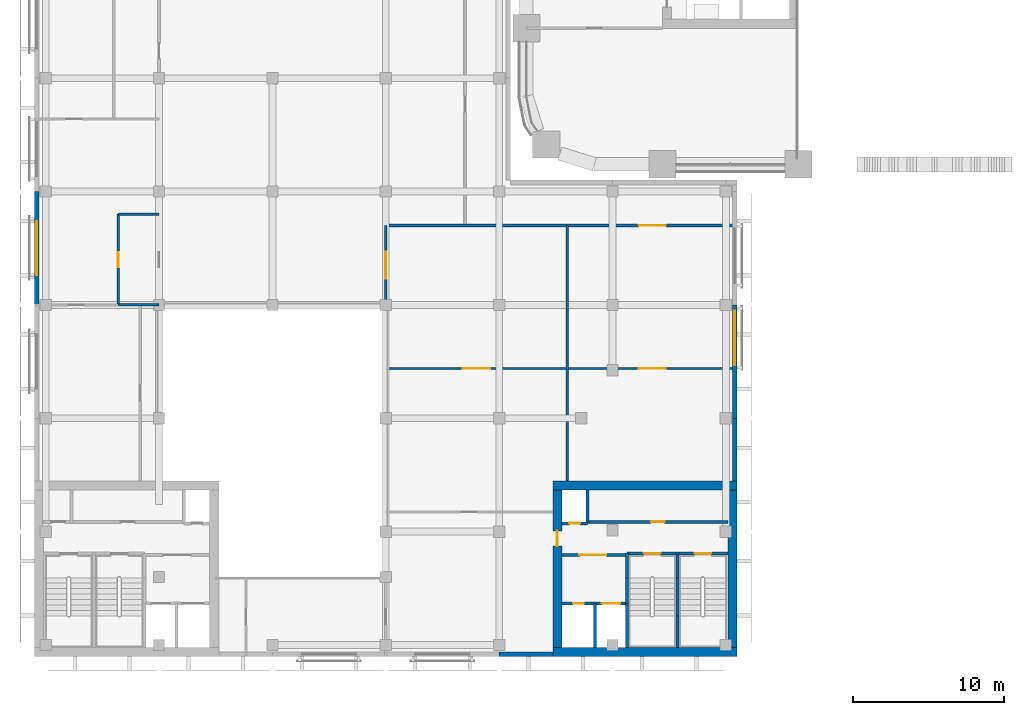
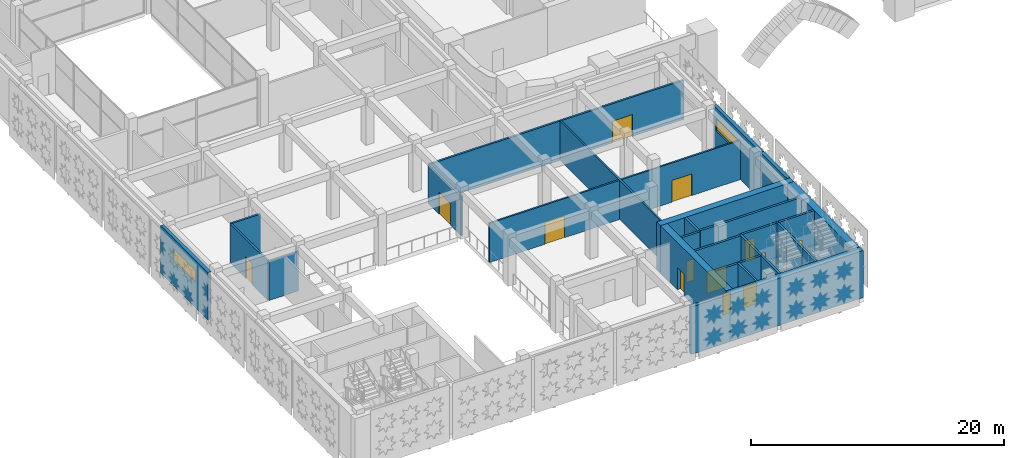
# One storey, part 15 of 40: 30 walls, 13 doors, 2 windows, 15 openings.
"""IFC4 building model written with IfcOpenShell, lengths in metres."""

from ifc_helpers import new_model, si_unit, direction, frame, frame_2d, origin, place, context, subcontext, project, spatial, rectangle, extrude, material, layer, layer_set, type_object, element, fill, save


model = new_model("IFC4")

# Units and contexts
model_context = context("Model", 3, precision=1e-05, world=origin(), true_north=direction((0.0, 1.0)))
body_context = subcontext(model_context, "Body", "Model", "MODEL_VIEW")
ifc_project = project(units=[si_unit("LENGTHUNIT", "METRE"), si_unit("AREAUNIT", "SQUARE_METRE"), si_unit("VOLUMEUNIT", "CUBIC_METRE"), si_unit("PLANEANGLEUNIT", "RADIAN"), si_unit("MASSUNIT", "GRAM", prefix="KILO")], contexts=[model_context])

# Site, building, storey
site_placement = place(None, origin())
site = spatial("IfcSite", under=ifc_project, at=site_placement, CompositionType="ELEMENT")
building_placement = place(site_placement, origin())
building = spatial("IfcBuilding", under=site, at=building_placement, Name="Tessera Arch", CompositionType="ELEMENT")
storey_placement = place(building_placement, frame((0.0, 0.0, 21.0)))
storey = spatial("IfcBuildingStorey", under=building, at=storey_placement, Name="L03", CompositionType="ELEMENT", Elevation=21.0)

# Wall, opening, door
ifc_material_1 = material(Name="Gypsum board on steel stud", Category="steel")
ifc_layer_1 = layer(ifc_material_1, 0.125)
ifc_layer_set_1 = layer_set([ifc_layer_1], Name="Core partition 125 EI 60")
wall_type_1 = type_object("IfcWallType", Name="Core partition 125 EI 60", PredefinedType="PARTITIONING", material=ifc_layer_set_1)
wall_1_placement = place(storey_placement, frame((2.35009765625, -25.85009765625, 0.0), z_axis=(0.0, 0.0, 1.0), x_axis=(1.0, 0.0, 0.0)))
wall_1 = element("IfcWall", 1, at=wall_1_placement, inside=storey, type_object=wall_type_1, Name="L03 M3 partition wall 10", PredefinedType="PARTITIONING", context=body_context, shape_type="SweptSolid", body=[
    extrude(rectangle(XDim=4.2998046875, YDim=0.199951171875, at=frame_2d((2.14990234375, 0.0))), origin(), (0.0, 0.0, 1.0), 4.550048828125),
])
opening_1_placement = place(wall_1_placement, frame((1.14990234375, 0.0, 0.0)))
opening_1 = element("IfcOpeningElement", 2, at=opening_1_placement, cuts=wall_1, Name="Opening L03-C64", PredefinedType="OPENING", context=body_context, shape_type="SweptSolid", body=[
    extrude(rectangle(XDim=1.800048828125, YDim=2.10009765625, at=frame_2d((0.89990234375, 1.050048828125))), frame((0.0, 0.10986328125, 0.0), z_axis=(0.0, -1.0, 0.0), x_axis=(1.0, 0.0, 0.0)), (0.0, 0.0, 1.0), 0.219970703125),
])
ifc_material_2 = material(Name="Glazed steel door leaf", Category="steel")
door_type_1 = type_object("IfcDoorType", Name="Lobby double door FD30S 1800 x 2100", OperationType="DOUBLE_DOOR_SINGLE_SWING", PredefinedType="DOOR", material=ifc_material_2)
door_1_placement = place(opening_1_placement, origin())
door_1 = element("IfcDoor", 3, at=door_1_placement, inside=storey, type_object=door_type_1, Name="L03 M3 door 4 C64 type D06", OperationType="DOUBLE_DOOR_SINGLE_SWING", OverallHeight=2.10009765625, OverallWidth=1.800048828125, PredefinedType="DOOR", context=body_context, shape_type="SweptSolid", body=[
    extrude(rectangle(XDim=1.800048828125, YDim=2.10009765625, at=frame_2d((0.89990234375, 1.050048828125))), frame((0.0, 0.02490234375, 0.0), z_axis=(0.0, -1.0, 0.0), x_axis=(1.0, 0.0, 0.0)), (0.0, 0.0, 1.0), 0.050048828125),
])
fill(opening_1, door_1)

wall_2_placement = place(storey_placement, frame((4.050048828125, -23.64990234375, 0.0), z_axis=(0.0, 0.0, 1.0), x_axis=(1.0, 0.0, 0.0)))
wall_2 = element("IfcWall", 4, at=wall_2_placement, inside=storey, type_object=wall_type_1, Name="L03 M3 partition wall 14", PredefinedType="PARTITIONING", context=body_context, shape_type="SweptSolid", body=[
    extrude(rectangle(XDim=9.300048828125, YDim=0.199951171875, at=frame_2d((4.64990234375, 0.0))), origin(), (0.0, 0.0, 1.0), 4.550048828125),
])
opening_2_placement = place(wall_2_placement, frame((4.199951171875, 0.0, 0.0)))
opening_2 = element("IfcOpeningElement", 5, at=opening_2_placement, cuts=wall_2, Name="Opening L03-C68", PredefinedType="OPENING", context=body_context, shape_type="SweptSolid", body=[
    extrude(rectangle(XDim=0.89990234375, YDim=2.10009765625, at=frame_2d((0.449951171875, 1.050048828125))), frame((0.0, 0.10986328125, 0.0), z_axis=(0.0, -1.0, 0.0), x_axis=(1.0, 0.0, 0.0)), (0.0, 0.0, 1.0), 0.219970703125),
])
ifc_material_3 = material(Name="Steel door leaf", Category="steel")
door_type_2 = type_object("IfcDoorType", Name="Store door FD30S 900 x 2100", OperationType="SINGLE_SWING_LEFT", PredefinedType="DOOR", material=ifc_material_3)
door_2_placement = place(opening_2_placement, origin())
door_2 = element("IfcDoor", 6, at=door_2_placement, inside=storey, type_object=door_type_2, Name="L03 M3 door 8 C68 type D09", OperationType="SINGLE_SWING_LEFT", OverallHeight=2.10009765625, OverallWidth=0.89990234375, PredefinedType="DOOR", context=body_context, shape_type="SweptSolid", body=[
    extrude(rectangle(XDim=0.89990234375, YDim=2.10009765625, at=frame_2d((0.449951171875, 1.050048828125))), frame((0.0, 0.02490234375, 0.0), z_axis=(0.0, -1.0, 0.0), x_axis=(1.0, 0.0, 0.0)), (0.0, 0.0, 1.0), 0.050048828125),
])
fill(opening_2, door_2)

# Walls
ifc_material_4 = material(Name="Concrete C70/85", Category="concrete")
ifc_layer_2 = layer(ifc_material_4, 0.60009765625)
ifc_layer_set_2 = layer_set([ifc_layer_2], Name="Core shell wall 600 C70-85")
wall_type_2 = type_object("IfcWallType", Name="Core shell wall 600 C70-85", PredefinedType="SHEAR", material=ifc_layer_set_2)
for number, where, z_axis, x_axis, name in (
    (7, (1.75, -32.25, 0.0), (0.0, 0.0, 1.0), (1.0, 0.0, 0.0), "L03 M3 core wall S"),
    (8, (1.75, -21.25, 0.0), (0.0, 0.0, 1.0), (1.0, 0.0, 0.0), "L03 M3 core wall N"),
):
    element("IfcWall", number, at=place(storey_placement, frame(where, z_axis=z_axis, x_axis=x_axis)), inside=storey, type_object=wall_type_2, Name=name, PredefinedType="SHEAR", context=body_context, shape_type="SweptSolid", body=[
        extrude(rectangle(XDim=12.199951171875, YDim=0.60009765625, at=frame_2d((6.10009765625, 0.0))), origin(), (0.0, 0.0, 1.0), 4.550048828125),
    ])

# Wall, opening, door
wall_3_placement = place(storey_placement, frame((2.050048828125, -31.949951171875, 0.0), z_axis=(0.0, 0.0, 1.0), x_axis=(0.0, 1.0, 0.0)))
wall_3 = element("IfcWall", 9, at=wall_3_placement, inside=storey, type_object=wall_type_2, Name="L03 M3 core wall W", PredefinedType="SHEAR", context=body_context, shape_type="SweptSolid", body=[
    extrude(rectangle(XDim=10.39990234375, YDim=0.60009765625, at=frame_2d((5.199951171875, 0.0))), origin(), (0.0, 0.0, 1.0), 4.550048828125),
])
opening_3_placement = place(wall_3_placement, frame((6.699951171875, 0.0, 0.0)))
opening_3 = element("IfcOpeningElement", 10, at=opening_3_placement, cuts=wall_3, Name="Opening L03-C67", PredefinedType="OPENING", context=body_context, shape_type="SweptSolid", body=[
    extrude(rectangle(XDim=1.0, YDim=2.10009765625, at=frame_2d((0.5, 1.050048828125))), frame((0.0, 0.31005859375, 0.0), z_axis=(0.0, -1.0, 0.0), x_axis=(1.0, 0.0, 0.0)), (0.0, 0.0, 1.0), 0.6201171875),
])
ifc_material_5 = material(Name="Steel door leaf", Category="steel")
door_type_3 = type_object("IfcDoorType", Name="Corridor door FD60 1000 x 2100", OperationType="SINGLE_SWING_LEFT", PredefinedType="DOOR", material=ifc_material_5)
door_3_placement = place(opening_3_placement, origin())
door_3 = element("IfcDoor", 11, at=door_3_placement, inside=storey, type_object=door_type_3, Name="L03 M3 door 7 C67 type D12", OperationType="SINGLE_SWING_RIGHT", OverallHeight=2.10009765625, OverallWidth=1.0, PredefinedType="DOOR", context=body_context, shape_type="SweptSolid", body=[
    extrude(rectangle(XDim=1.0, YDim=2.10009765625, at=frame_2d((0.5, 1.050048828125))), frame((0.0, 0.02490234375, 0.0), z_axis=(0.0, -1.0, 0.0), x_axis=(1.0, 0.0, 0.0)), (0.0, 0.0, 1.0), 0.050048828125),
])
fill(opening_3, door_3)

# Walls
wall_4_placement = place(storey_placement, frame((13.64990234375, -31.949951171875, 0.0), z_axis=(0.0, 0.0, 1.0), x_axis=(0.0, 1.0, 0.0)))
element("IfcWall", 12, at=wall_4_placement, inside=storey, type_object=wall_type_2, Name="L03 M3 core wall E", PredefinedType="SHEAR", context=body_context, shape_type="SweptSolid", body=[
    extrude(rectangle(XDim=10.39990234375, YDim=0.60009765625, at=frame_2d((5.199951171875, 0.0))), origin(), (0.0, 0.0, 1.0), 4.550048828125),
])
ifc_material_6 = material(Name="Gypsum board on deep steel stud with mineral wool", Category="steel")
ifc_layer_3 = layer(ifc_material_6, 0.175048828125)
ifc_layer_set_3 = layer_set([ifc_layer_3], Name="Corridor wall 175 EI 60")
wall_type_3 = type_object("IfcWallType", Name="Corridor wall 175 EI 60", PredefinedType="PARTITIONING", material=ifc_layer_set_3)
wall_5_placement = place(storey_placement, frame((-27.0, -9.300048828125, 0.0), z_axis=(0.0, 0.0, 1.0), x_axis=(1.0, 0.0, 0.0)))
element("IfcWall", 13, at=wall_5_placement, inside=storey, type_object=wall_type_3, Name="L03 partition 1", PredefinedType="PARTITIONING", context=body_context, shape_type="SweptSolid", body=[
    extrude(rectangle(XDim=2.699951171875, YDim=0.175048828125, at=frame_2d((1.35009765625, 0.0))), origin(), (0.0, 0.0, 1.0), 3.7900390625),
])

# Wall, opening, door
wall_6_placement = place(storey_placement, frame((-9.300048828125, -4.050048828125, 0.0), z_axis=(0.0, 0.0, 1.0), x_axis=(1.0, 0.0, 0.0)))
wall_6 = element("IfcWall", 14, at=wall_6_placement, inside=storey, type_object=wall_type_3, Name="L03 partition 2", PredefinedType="PARTITIONING", context=body_context, shape_type="SweptSolid", body=[
    extrude(rectangle(XDim=23.25, YDim=0.175048828125, at=frame_2d((11.625, 0.0))), origin(), (0.0, 0.0, 1.0), 3.7900390625),
])
opening_4_placement = place(wall_6_placement, frame((16.72509765625, 0.0, 0.0)))
opening_4 = element("IfcOpeningElement", 15, at=opening_4_placement, cuts=wall_6, Name="Opening L03-D012", PredefinedType="OPENING", context=body_context, shape_type="SweptSolid", body=[
    extrude(rectangle(XDim=1.800048828125, YDim=2.10009765625, at=frame_2d((0.89990234375, 1.050048828125))), frame((0.0, 0.097412109375, 0.0), z_axis=(0.0, -1.0, 0.0), x_axis=(1.0, 0.0, 0.0)), (0.0, 0.0, 1.0), 0.195068359375),
])
ifc_material_7 = material(Name="Timber door leaf", Category="wood")
door_type_4 = type_object("IfcDoorType", Name="Double door 1800 x 2100", OperationType="DOUBLE_DOOR_SINGLE_SWING", PredefinedType="DOOR", material=ifc_material_7)
door_4_placement = place(opening_4_placement, origin())
door_4 = element("IfcDoor", 16, at=door_4_placement, inside=storey, type_object=door_type_4, Name="L03 door D012 type D13", OperationType="DOUBLE_DOOR_SINGLE_SWING", OverallHeight=2.10009765625, OverallWidth=1.800048828125, PredefinedType="DOOR", context=body_context, shape_type="SweptSolid", body=[
    extrude(rectangle(XDim=1.800048828125, YDim=2.10009765625, at=frame_2d((0.89990234375, 1.050048828125))), frame((0.0, 0.02490234375, 0.0), z_axis=(0.0, -1.0, 0.0), x_axis=(1.0, 0.0, 0.0)), (0.0, 0.0, 1.0), 0.050048828125),
])
fill(opening_4, door_4)

# Wall
wall_7_placement = place(storey_placement, frame((-27.0, -3.300048828125, 0.0), z_axis=(0.0, 0.0, 1.0), x_axis=(1.0, 0.0, 0.0)))
element("IfcWall", 17, at=wall_7_placement, inside=storey, type_object=wall_type_3, Name="L03 partition 3", PredefinedType="PARTITIONING", context=body_context, shape_type="SweptSolid", body=[
    extrude(rectangle(XDim=2.699951171875, YDim=0.175048828125, at=frame_2d((1.35009765625, 0.0))), origin(), (0.0, 0.0, 1.0), 3.7900390625),
])

# Wall, opening, door
wall_8_placement = place(storey_placement, frame((-27.0, -9.300048828125, 0.0), z_axis=(0.0, 0.0, 1.0), x_axis=(0.0, 1.0, 0.0)))
wall_8 = element("IfcWall", 18, at=wall_8_placement, inside=storey, type_object=wall_type_3, Name="L03 partition 15", PredefinedType="PARTITIONING", context=body_context, shape_type="SweptSolid", body=[
    extrude(rectangle(XDim=6.0, YDim=0.175048828125, at=frame_2d((3.0, 0.0))), origin(), (0.0, 0.0, 1.0), 3.7900390625),
])
opening_5_placement = place(wall_8_placement, frame((2.5, 0.0, 0.0)))
opening_5 = element("IfcOpeningElement", 19, at=opening_5_placement, cuts=wall_8, Name="Opening L03-D023", PredefinedType="OPENING", context=body_context, shape_type="SweptSolid", body=[
    extrude(rectangle(XDim=1.0, YDim=2.10009765625, at=frame_2d((0.5, 1.050048828125))), frame((0.0, 0.097412109375, 0.0), z_axis=(0.0, -1.0, 0.0), x_axis=(1.0, 0.0, 0.0)), (0.0, 0.0, 1.0), 0.195068359375),
])
ifc_material_8 = material(Name="Fire-rated door leaf")
door_type_5 = type_object("IfcDoorType", Name="Entrance door FD30S 1000 x 2100", OperationType="SINGLE_SWING_LEFT", PredefinedType="DOOR", material=ifc_material_8)
door_5_placement = place(opening_5_placement, origin())
door_5 = element("IfcDoor", 20, at=door_5_placement, inside=storey, type_object=door_type_5, Name="L03 door D023 type D03", OperationType="SINGLE_SWING_RIGHT", OverallHeight=2.10009765625, OverallWidth=1.0, PredefinedType="DOOR", context=body_context, shape_type="SweptSolid", body=[
    extrude(rectangle(XDim=1.0, YDim=2.10009765625, at=frame_2d((0.5, 1.050048828125))), frame((0.0, 0.02490234375, 0.0), z_axis=(0.0, -1.0, 0.0), x_axis=(1.0, 0.0, 0.0)), (0.0, 0.0, 1.0), 0.050048828125),
])
fill(opening_5, door_5)

wall_9_placement = place(storey_placement, frame((-9.300048828125, -9.300048828125, 0.0), z_axis=(0.0, 0.0, 1.0), x_axis=(0.0, 1.0, 0.0)))
wall_9 = element("IfcWall", 21, at=wall_9_placement, inside=storey, type_object=wall_type_3, Name="L03 partition 18", PredefinedType="PARTITIONING", context=body_context, shape_type="SweptSolid", body=[
    extrude(rectangle(XDim=5.25, YDim=0.175048828125, at=frame_2d((2.625, 0.0))), origin(), (0.0, 0.0, 1.0), 3.7900390625),
])
opening_6_placement = place(wall_9_placement, frame((1.72509765625, 0.0, 0.0)))
opening_6 = element("IfcOpeningElement", 22, at=opening_6_placement, cuts=wall_9, Name="Opening L03-D014", PredefinedType="OPENING", context=body_context, shape_type="SweptSolid", body=[
    extrude(rectangle(XDim=1.800048828125, YDim=2.10009765625, at=frame_2d((0.89990234375, 1.050048828125))), frame((0.0, 0.097412109375, 0.0), z_axis=(0.0, -1.0, 0.0), x_axis=(1.0, 0.0, 0.0)), (0.0, 0.0, 1.0), 0.195068359375),
])
door_6_placement = place(opening_6_placement, origin())
door_6 = element("IfcDoor", 23, at=door_6_placement, inside=storey, type_object=door_type_4, Name="L03 door D014 type D13", OperationType="DOUBLE_DOOR_SINGLE_SWING", OverallHeight=2.10009765625, OverallWidth=1.800048828125, PredefinedType="DOOR", context=body_context, shape_type="SweptSolid", body=[
    extrude(rectangle(XDim=1.800048828125, YDim=2.10009765625, at=frame_2d((0.89990234375, 1.050048828125))), frame((0.0, 0.02490234375, 0.0), z_axis=(0.0, -1.0, 0.0), x_axis=(1.0, 0.0, 0.0)), (0.0, 0.0, 1.0), 0.050048828125),
])
fill(opening_6, door_6)

# Walls
ifc_material_9 = material(Name="Aluminium cladding pale metal anodised", Category="aluminium")
ifc_layer_4 = layer(ifc_material_9, 0.300048828125)
ifc_layer_set_4 = layer_set([ifc_layer_4], Name="Museum envelope wall pale metal")
wall_type_4 = type_object("IfcWallType", Name="Museum envelope wall pale metal", PredefinedType="SOLIDWALL", material=ifc_layer_set_4)
wall_10_placement = place(storey_placement, frame((-1.800048828125, -32.39990234375, 0.0), z_axis=(0.0, 0.0, 1.0), x_axis=(1.0, 0.0, 0.0)))
element("IfcWall", 24, at=wall_10_placement, inside=storey, type_object=wall_type_4, Name="Museum external wall pale metal mashrabiya pattern", PredefinedType="SOLIDWALL", context=body_context, shape_type="SweptSolid", body=[
    extrude(rectangle(XDim=3.550048828125, YDim=0.300048828125, at=frame_2d((1.77490234375, 0.0))), origin(), (0.0, 0.0, 1.0), 4.590087890625),
])
wall_11_placement = place(storey_placement, frame((13.800048828125, -20.949951171875, 0.0), z_axis=(0.0, 0.0, 1.0), x_axis=(0.0, 1.0, 0.0)))
element("IfcWall", 25, at=wall_11_placement, inside=storey, type_object=wall_type_4, Name="Museum external wall pale metal mashrabiya pattern", PredefinedType="SOLIDWALL", context=body_context, shape_type="SweptSolid", body=[
    extrude(rectangle(XDim=4.14990234375, YDim=0.300048828125, at=frame_2d((2.074951171875, 0.0))), origin(), (0.0, 0.0, 1.0), 4.590087890625),
])

# Wall, opening, window
wall_12_placement = place(storey_placement, frame((13.800048828125, -16.800048828125, 0.0), z_axis=(0.0, 0.0, 1.0), x_axis=(0.0, 1.0, 0.0)))
wall_12 = element("IfcWall", 26, at=wall_12_placement, inside=storey, type_object=wall_type_4, Name="Museum external wall pale metal mashrabiya pattern", PredefinedType="SOLIDWALL", context=body_context, shape_type="SweptSolid", body=[
    extrude(rectangle(XDim=7.5, YDim=0.300048828125, at=frame_2d((3.75, 0.0))), origin(), (0.0, 0.0, 1.0), 4.590087890625),
])
opening_7_placement = place(wall_12_placement, frame((3.5, 0.0, 2.39990234375)))
opening_7 = element("IfcOpeningElement", 27, at=opening_7_placement, cuts=wall_12, Name="Opening L03-MV42", PredefinedType="OPENING", context=body_context, shape_type="SweptSolid", body=[
    extrude(rectangle(XDim=3.60009765625, YDim=1.199951171875, at=frame_2d((1.800048828125, 0.60009765625))), frame((0.0, 0.159912109375, 0.0), z_axis=(0.0, -1.0, 0.0), x_axis=(1.0, 0.0, 0.0)), (0.0, 0.0, 1.0), 0.320068359375),
])
ifc_material_10 = material(Name="Clear low-e glass in aluminium frame", Category="aluminium")
window_type = type_object("IfcWindowType", Name="Museum clerestory window", PartitioningType="SINGLE_PANEL", PredefinedType="WINDOW", material=ifc_material_10)
window_1_placement = place(opening_7_placement, origin())
window_1 = element("IfcWindow", 28, at=window_1_placement, inside=storey, type_object=window_type, Name="Museum window L03 2-4", OverallHeight=1.199951171875, OverallWidth=3.60009765625, PartitioningType="SINGLE_PANEL", PredefinedType="WINDOW", context=body_context, shape_type="SweptSolid", body=[
    extrude(rectangle(XDim=3.60009765625, YDim=1.199951171875, at=frame_2d((1.800048828125, 0.60009765625))), frame((0.0, 0.030029296875, 0.0), z_axis=(0.0, -1.0, 0.0), x_axis=(1.0, 0.0, 0.0)), (0.0, 0.0, 1.0), 0.06005859375),
])
fill(opening_7, window_1)

wall_13_placement = place(storey_placement, frame((-32.39990234375, -1.800048828125, 0.0), z_axis=(0.0, 0.0, 1.0), x_axis=(0.0, -1.0, 0.0)))
wall_13 = element("IfcWall", 29, at=wall_13_placement, inside=storey, type_object=wall_type_4, Name="Museum external wall pale metal mashrabiya pattern", PredefinedType="SOLIDWALL", context=body_context, shape_type="SweptSolid", body=[
    extrude(rectangle(XDim=7.5, YDim=0.300048828125, at=frame_2d((3.75, 0.0))), origin(), (0.0, 0.0, 1.0), 4.590087890625),
])
opening_8_placement = place(wall_13_placement, frame((1.949951171875, 0.0, 2.39990234375)))
opening_8 = element("IfcOpeningElement", 30, at=opening_8_placement, cuts=wall_13, Name="Opening L03-MV52", PredefinedType="OPENING", context=body_context, shape_type="SweptSolid", body=[
    extrude(rectangle(XDim=3.60009765625, YDim=1.199951171875, at=frame_2d((1.800048828125, 0.60009765625))), frame((0.0, 0.159912109375, 0.0), z_axis=(0.0, -1.0, 0.0), x_axis=(1.0, 0.0, 0.0)), (0.0, 0.0, 1.0), 0.320068359375),
])
window_2_placement = place(opening_8_placement, origin())
window_2 = element("IfcWindow", 31, at=window_2_placement, inside=storey, type_object=window_type, Name="Museum window L03 6-10", OverallHeight=1.199951171875, OverallWidth=3.60009765625, PartitioningType="SINGLE_PANEL", PredefinedType="WINDOW", context=body_context, shape_type="SweptSolid", body=[
    extrude(rectangle(XDim=3.60009765625, YDim=1.199951171875, at=frame_2d((1.800048828125, 0.60009765625))), frame((0.0, 0.030029296875, 0.0), z_axis=(0.0, -1.0, 0.0), x_axis=(1.0, 0.0, 0.0)), (0.0, 0.0, 1.0), 0.06005859375),
])
fill(opening_8, window_2)

# Wall, openings, doors
ifc_material_11 = material(Name="Gypsum board on steel stud", Category="steel")
ifc_layer_5 = layer(ifc_material_11, 0.14990234375)
ifc_layer_set_5 = layer_set([ifc_layer_5], Name="Partition 150")
wall_type_5 = type_object("IfcWallType", Name="Partition 150", PredefinedType="PARTITIONING", material=ifc_layer_set_5)
wall_14_placement = place(storey_placement, frame((-9.300048828125, -13.5, 0.0), z_axis=(0.0, 0.0, 1.0), x_axis=(1.0, 0.0, 0.0)))
wall_14 = element("IfcWall", 32, at=wall_14_placement, inside=storey, type_object=wall_type_5, Name="L03 partition 22", PredefinedType="PARTITIONING", context=body_context, shape_type="SweptSolid", body=[
    extrude(rectangle(XDim=23.25, YDim=0.14990234375, at=frame_2d((11.625, 0.0))), origin(), (0.0, 0.0, 1.0), 3.7900390625),
])
opening_9_placement = place(wall_14_placement, frame((5.10009765625, 0.0, 0.0)))
opening_9 = element("IfcOpeningElement", 33, at=opening_9_placement, cuts=wall_14, Name="Opening L03-D006", PredefinedType="OPENING", context=body_context, shape_type="SweptSolid", body=[
    extrude(rectangle(XDim=1.800048828125, YDim=2.10009765625, at=frame_2d((0.89990234375, 1.050048828125))), frame((0.0, 0.0849609375, 0.0), z_axis=(0.0, -1.0, 0.0), x_axis=(1.0, 0.0, 0.0)), (0.0, 0.0, 1.0), 0.169921875),
])
opening_10_placement = place(wall_14_placement, frame((16.72509765625, 0.0, 0.0)))
opening_10 = element("IfcOpeningElement", 34, at=opening_10_placement, cuts=wall_14, Name="Opening L03-D013", PredefinedType="OPENING", context=body_context, shape_type="SweptSolid", body=[
    extrude(rectangle(XDim=1.800048828125, YDim=2.10009765625, at=frame_2d((0.89990234375, 1.050048828125))), frame((0.0, 0.0849609375, 0.0), z_axis=(0.0, -1.0, 0.0), x_axis=(1.0, 0.0, 0.0)), (0.0, 0.0, 1.0), 0.169921875),
])
door_7_placement = place(opening_9_placement, origin())
door_7 = element("IfcDoor", 35, at=door_7_placement, inside=storey, type_object=door_type_4, Name="L03 door D006 type D13", OperationType="DOUBLE_DOOR_SINGLE_SWING", OverallHeight=2.10009765625, OverallWidth=1.800048828125, PredefinedType="DOOR", context=body_context, shape_type="SweptSolid", body=[
    extrude(rectangle(XDim=1.800048828125, YDim=2.10009765625, at=frame_2d((0.89990234375, 1.050048828125))), frame((0.0, 0.02490234375, 0.0), z_axis=(0.0, -1.0, 0.0), x_axis=(1.0, 0.0, 0.0)), (0.0, 0.0, 1.0), 0.050048828125),
])
fill(opening_9, door_7)
door_8_placement = place(opening_10_placement, origin())
door_8 = element("IfcDoor", 36, at=door_8_placement, inside=storey, type_object=door_type_4, Name="L03 door D013 type D13", OperationType="DOUBLE_DOOR_SINGLE_SWING", OverallHeight=2.10009765625, OverallWidth=1.800048828125, PredefinedType="DOOR", context=body_context, shape_type="SweptSolid", body=[
    extrude(rectangle(XDim=1.800048828125, YDim=2.10009765625, at=frame_2d((0.89990234375, 1.050048828125))), frame((0.0, 0.02490234375, 0.0), z_axis=(0.0, -1.0, 0.0), x_axis=(1.0, 0.0, 0.0)), (0.0, 0.0, 1.0), 0.050048828125),
])
fill(opening_10, door_8)

# Walls
wall_15_placement = place(storey_placement, frame((2.699951171875, -20.949951171875, 0.0), z_axis=(0.0, 0.0, 1.0), x_axis=(0.0, 1.0, 0.0)))
element("IfcWall", 37, at=wall_15_placement, inside=storey, type_object=wall_type_5, Name="L03 partition 31", PredefinedType="PARTITIONING", context=body_context, shape_type="SweptSolid", body=[
    extrude(rectangle(XDim=16.89990234375, YDim=0.14990234375, at=frame_2d((8.449951171875, 0.0))), origin(), (0.0, 0.0, 1.0), 3.7900390625),
])
ifc_material_12 = material(Name="Concrete C40/50", Category="concrete")
ifc_layer_6 = layer(ifc_material_12, 0.199951171875)
ifc_layer_set_6 = layer_set([ifc_layer_6], Name="Shaft wall 200 EI 120")
wall_type_6 = type_object("IfcWallType", Name="Shaft wall 200 EI 120", PredefinedType="SOLIDWALL", material=ifc_layer_set_6)
wall_16_placement = place(storey_placement, frame((4.050048828125, -23.75, 0.0), z_axis=(0.0, 0.0, 1.0), x_axis=(0.0, 1.0, 0.0)))
element("IfcWall", 38, at=wall_16_placement, inside=storey, type_object=wall_type_6, Name="L03 M3 shaft wall 1", PredefinedType="SOLIDWALL", context=body_context, shape_type="SweptSolid", body=[
    extrude(rectangle(XDim=2.199951171875, YDim=0.199951171875, at=frame_2d((1.10009765625, 0.0))), origin(), (0.0, 0.0, 1.0), 4.550048828125),
])
for number, where, z_axis, x_axis, name in (
    (39, (4.550048828125, -31.949951171875, 0.0), (0.0, 0.0, 1.0), (0.0, 1.0, 0.0), "L03 M3 shaft wall 2"),
    (40, (6.64990234375, -31.949951171875, 0.0), (0.0, 0.0, 1.0), (0.0, 1.0, 0.0), "L03 M3 shaft wall 3"),
):
    element("IfcWall", number, at=place(storey_placement, frame(where, z_axis=z_axis, x_axis=x_axis)), inside=storey, type_object=wall_type_6, Name=name, PredefinedType="SOLIDWALL", context=body_context, shape_type="SweptSolid", body=[
        extrude(rectangle(XDim=2.89990234375, YDim=0.199951171875, at=frame_2d((1.449951171875, 0.0))), origin(), (0.0, 0.0, 1.0), 4.550048828125),
    ])

# Wall, openings, doors
wall_17_placement = place(storey_placement, frame((2.35009765625, -29.050048828125, 0.0), z_axis=(0.0, 0.0, 1.0), x_axis=(1.0, 0.0, 0.0)))
wall_17 = element("IfcWall", 41, at=wall_17_placement, inside=storey, type_object=wall_type_6, Name="L03 M3 shaft wall 9", PredefinedType="SOLIDWALL", context=body_context, shape_type="SweptSolid", body=[
    extrude(rectangle(XDim=4.2998046875, YDim=0.199951171875, at=frame_2d((2.14990234375, 0.0))), origin(), (0.0, 0.0, 1.0), 4.550048828125),
])
opening_11_placement = place(wall_17_placement, frame((2.64990234375, 0.0, 0.0)))
opening_11 = element("IfcOpeningElement", 42, at=opening_11_placement, cuts=wall_17, Name="Opening L03-C61", PredefinedType="OPENING", context=body_context, shape_type="SweptSolid", body=[
    extrude(rectangle(XDim=1.199951171875, YDim=2.10009765625, at=frame_2d((0.60009765625, 1.050048828125))), frame((0.0, 0.10986328125, 0.0), z_axis=(0.0, -1.0, 0.0), x_axis=(1.0, 0.0, 0.0)), (0.0, 0.0, 1.0), 0.219970703125),
])
opening_12_placement = place(wall_17_placement, frame((0.75, 0.0, 0.0)))
opening_12 = element("IfcOpeningElement", 43, at=opening_12_placement, cuts=wall_17, Name="Opening L03-C66", PredefinedType="OPENING", context=body_context, shape_type="SweptSolid", body=[
    extrude(rectangle(XDim=0.699951171875, YDim=2.10009765625, at=frame_2d((0.35009765625, 1.050048828125))), frame((0.0, 0.10986328125, 0.0), z_axis=(0.0, -1.0, 0.0), x_axis=(1.0, 0.0, 0.0)), (0.0, 0.0, 1.0), 0.219970703125),
])
ifc_material_13 = material(Name="Steel door leaf", Category="steel")
door_type_6 = type_object("IfcDoorType", Name="Service shaft door FD60 700 x 2100", OperationType="SINGLE_SWING_LEFT", PredefinedType="DOOR", material=ifc_material_13)
door_9_placement = place(opening_12_placement, origin())
door_9 = element("IfcDoor", 44, at=door_9_placement, inside=storey, type_object=door_type_6, Name="L03 M3 door 6 C66 type D07", OperationType="SINGLE_SWING_LEFT", OverallHeight=2.10009765625, OverallWidth=0.699951171875, PredefinedType="DOOR", context=body_context, shape_type="SweptSolid", body=[
    extrude(rectangle(XDim=0.699951171875, YDim=2.10009765625, at=frame_2d((0.35009765625, 1.050048828125))), frame((0.0, 0.02490234375, 0.0), z_axis=(0.0, -1.0, 0.0), x_axis=(1.0, 0.0, 0.0)), (0.0, 0.0, 1.0), 0.050048828125),
])
fill(opening_12, door_9)
ifc_material_14 = material(Name="Stainless steel AISI 304", Category="steel")
door_type_7 = type_object("IfcDoorType", Name="Sliding landing door 1200 x 2100", OperationType="SLIDING_TO_LEFT", PredefinedType="DOOR", material=ifc_material_14)
door_10_placement = place(opening_11_placement, origin())
door_10 = element("IfcDoor", 45, at=door_10_placement, inside=storey, type_object=door_type_7, Name="L03 ML4 lift landing door C61 type LD", OperationType="SLIDING_TO_LEFT", OverallHeight=2.10009765625, OverallWidth=1.199951171875, PredefinedType="DOOR", context=body_context, shape_type="SweptSolid", body=[
    extrude(rectangle(XDim=1.199951171875, YDim=2.10009765625, at=frame_2d((0.60009765625, 1.050048828125))), frame((0.0, 0.02490234375, 0.0), z_axis=(0.0, -1.0, 0.0), x_axis=(1.0, 0.0, 0.0)), (0.0, 0.0, 1.0), 0.050048828125),
])
fill(opening_11, door_10)

# Wall, opening, door
wall_18_placement = place(storey_placement, frame((2.35009765625, -23.75, 0.0), z_axis=(0.0, 0.0, 1.0), x_axis=(1.0, 0.0, 0.0)))
wall_18 = element("IfcWall", 46, at=wall_18_placement, inside=storey, type_object=wall_type_6, Name="L03 M3 shaft wall 15", PredefinedType="SOLIDWALL", context=body_context, shape_type="SweptSolid", body=[
    extrude(rectangle(XDim=1.699951171875, YDim=0.199951171875, at=frame_2d((0.85009765625, 0.0))), origin(), (0.0, 0.0, 1.0), 4.550048828125),
])
opening_13_placement = place(wall_18_placement, frame((0.5, 0.0, 0.0)))
opening_13 = element("IfcOpeningElement", 47, at=opening_13_placement, cuts=wall_18, Name="Opening L03-C65", PredefinedType="OPENING", context=body_context, shape_type="SweptSolid", body=[
    extrude(rectangle(XDim=0.699951171875, YDim=2.10009765625, at=frame_2d((0.35009765625, 1.050048828125))), frame((0.0, 0.10986328125, 0.0), z_axis=(0.0, -1.0, 0.0), x_axis=(1.0, 0.0, 0.0)), (0.0, 0.0, 1.0), 0.219970703125),
])
door_11_placement = place(opening_13_placement, origin())
door_11 = element("IfcDoor", 48, at=door_11_placement, inside=storey, type_object=door_type_6, Name="L03 M3 door 5 C65 type D07", OperationType="SINGLE_SWING_RIGHT", OverallHeight=2.10009765625, OverallWidth=0.699951171875, PredefinedType="DOOR", context=body_context, shape_type="SweptSolid", body=[
    extrude(rectangle(XDim=0.699951171875, YDim=2.10009765625, at=frame_2d((0.35009765625, 1.050048828125))), frame((0.0, 0.02490234375, 0.0), z_axis=(0.0, -1.0, 0.0), x_axis=(1.0, 0.0, 0.0)), (0.0, 0.0, 1.0), 0.050048828125),
])
fill(opening_13, door_11)

# Walls
ifc_material_15 = material(Name="Concrete C40/50", Category="concrete")
ifc_layer_7 = layer(ifc_material_15, 0.199951171875)
ifc_layer_set_7 = layer_set([ifc_layer_7], Name="Stair well wall 200 REI 180")
wall_type_7 = type_object("IfcWallType", Name="Stair well wall 200 REI 180", PredefinedType="SOLIDWALL", material=ifc_layer_set_7)
wall_19_placement = place(storey_placement, frame((6.64990234375, -29.050048828125, 0.0), z_axis=(0.0, 0.0, 1.0), x_axis=(0.0, 1.0, 0.0)))
element("IfcWall", 49, at=wall_19_placement, inside=storey, type_object=wall_type_7, Name="L03 M3 shaft wall 4", PredefinedType="SOLIDWALL", context=body_context, shape_type="SweptSolid", body=[
    extrude(rectangle(XDim=1.699951171875, YDim=0.199951171875, at=frame_2d((0.85009765625, 0.0))), origin(), (0.0, 0.0, 1.0), 4.550048828125),
])
wall_20_placement = place(storey_placement, frame((6.64990234375, -27.35009765625, 0.0), z_axis=(0.0, 0.0, 1.0), x_axis=(0.0, 1.0, 0.0)))
element("IfcWall", 50, at=wall_20_placement, inside=storey, type_object=wall_type_7, Name="L03 M3 shaft wall 5", PredefinedType="SOLIDWALL", context=body_context, shape_type="SweptSolid", body=[
    extrude(rectangle(XDim=1.60009765625, YDim=0.199951171875, at=frame_2d((0.800048828125, 0.0))), origin(), (0.0, 0.0, 1.0), 4.550048828125),
])
wall_21_placement = place(storey_placement, frame((10.0, -31.949951171875, 0.0), z_axis=(0.0, 0.0, 1.0), x_axis=(0.0, 1.0, 0.0)))
element("IfcWall", 51, at=wall_21_placement, inside=storey, type_object=wall_type_7, Name="L03 M3 shaft wall 6", PredefinedType="SOLIDWALL", context=body_context, shape_type="SweptSolid", body=[
    extrude(rectangle(XDim=2.079833984375, YDim=0.199951171875, at=frame_2d((1.0400390625, 0.0))), origin(), (0.0, 0.0, 1.0), 4.550048828125),
])
wall_22_placement = place(storey_placement, frame((10.0, -29.8701171875, 0.0), z_axis=(0.0, 0.0, 1.0), x_axis=(0.0, 1.0, 0.0)))
element("IfcWall", 52, at=wall_22_placement, inside=storey, type_object=wall_type_7, Name="L03 M3 shaft wall 7", PredefinedType="SOLIDWALL", context=body_context, shape_type="SweptSolid", body=[
    extrude(rectangle(XDim=2.52001953125, YDim=0.199951171875, at=frame_2d((1.260009765625, 0.0))), origin(), (0.0, 0.0, 1.0), 4.550048828125),
])
wall_23_placement = place(storey_placement, frame((10.0, -27.35009765625, 0.0), z_axis=(0.0, 0.0, 1.0), x_axis=(0.0, 1.0, 0.0)))
element("IfcWall", 53, at=wall_23_placement, inside=storey, type_object=wall_type_7, Name="L03 M3 shaft wall 8", PredefinedType="SOLIDWALL", context=body_context, shape_type="SweptSolid", body=[
    extrude(rectangle(XDim=1.60009765625, YDim=0.199951171875, at=frame_2d((0.800048828125, 0.0))), origin(), (0.0, 0.0, 1.0), 4.550048828125),
])

# Wall, opening, door
wall_24_placement = place(storey_placement, frame((6.64990234375, -25.75, 0.0), z_axis=(0.0, 0.0, 1.0), x_axis=(1.0, 0.0, 0.0)))
wall_24 = element("IfcWall", 54, at=wall_24_placement, inside=storey, type_object=wall_type_7, Name="L03 M3 shaft wall 11", PredefinedType="SOLIDWALL", context=body_context, shape_type="SweptSolid", body=[
    extrude(rectangle(XDim=3.25, YDim=0.199951171875, at=frame_2d((1.625, 0.0))), origin(), (0.0, 0.0, 1.0), 4.550048828125),
])
opening_14_placement = place(wall_24_placement, frame((1.125, 0.0, 0.0)))
opening_14 = element("IfcOpeningElement", 55, at=opening_14_placement, cuts=wall_24, Name="Opening L03-C63", PredefinedType="OPENING", context=body_context, shape_type="SweptSolid", body=[
    extrude(rectangle(XDim=1.10009765625, YDim=2.10009765625, at=frame_2d((0.550048828125, 1.050048828125))), frame((0.0, 0.10986328125, 0.0), z_axis=(0.0, -1.0, 0.0), x_axis=(1.0, 0.0, 0.0)), (0.0, 0.0, 1.0), 0.219970703125),
])
ifc_material_16 = material(Name="Steel door leaf", Category="steel")
door_type_8 = type_object("IfcDoorType", Name="Stair door FD60 1100 x 2100", OperationType="SINGLE_SWING_LEFT", PredefinedType="DOOR", material=ifc_material_16)
door_12_placement = place(opening_14_placement, origin())
door_12 = element("IfcDoor", 56, at=door_12_placement, inside=storey, type_object=door_type_8, Name="L03 M3 door 3 C63 type D05", OperationType="SINGLE_SWING_RIGHT", OverallHeight=2.10009765625, OverallWidth=1.10009765625, PredefinedType="DOOR", context=body_context, shape_type="SweptSolid", body=[
    extrude(rectangle(XDim=1.10009765625, YDim=2.10009765625, at=frame_2d((0.550048828125, 1.050048828125))), frame((0.0, 0.02490234375, 0.0), z_axis=(0.0, -1.0, 0.0), x_axis=(1.0, 0.0, 0.0)), (0.0, 0.0, 1.0), 0.050048828125),
])
fill(opening_14, door_12)

# Wall
wall_25_placement = place(storey_placement, frame((9.89990234375, -25.75, 0.0), z_axis=(0.0, 0.0, 1.0), x_axis=(1.0, 0.0, 0.0)))
element("IfcWall", 57, at=wall_25_placement, inside=storey, type_object=wall_type_7, Name="L03 M3 shaft wall 12", PredefinedType="SOLIDWALL", context=body_context, shape_type="SweptSolid", body=[
    extrude(rectangle(XDim=0.2001953125, YDim=0.199951171875, at=frame_2d((0.10009765625, 0.0))), origin(), (0.0, 0.0, 1.0), 4.550048828125),
])

# Wall, opening, door
wall_26_placement = place(storey_placement, frame((10.10009765625, -25.75, 0.0), z_axis=(0.0, 0.0, 1.0), x_axis=(1.0, 0.0, 0.0)))
wall_26 = element("IfcWall", 58, at=wall_26_placement, inside=storey, type_object=wall_type_7, Name="L03 M3 shaft wall 13", PredefinedType="SOLIDWALL", context=body_context, shape_type="SweptSolid", body=[
    extrude(rectangle(XDim=3.25, YDim=0.199951171875, at=frame_2d((1.625, 0.0))), origin(), (0.0, 0.0, 1.0), 4.550048828125),
])
opening_15_placement = place(wall_26_placement, frame((1.02490234375, 0.0, 0.0)))
opening_15 = element("IfcOpeningElement", 59, at=opening_15_placement, cuts=wall_26, Name="Opening L03-C62", PredefinedType="OPENING", context=body_context, shape_type="SweptSolid", body=[
    extrude(rectangle(XDim=1.10009765625, YDim=2.10009765625, at=frame_2d((0.550048828125, 1.050048828125))), frame((0.0, 0.10986328125, 0.0), z_axis=(0.0, -1.0, 0.0), x_axis=(1.0, 0.0, 0.0)), (0.0, 0.0, 1.0), 0.219970703125),
])
door_13_placement = place(opening_15_placement, origin())
door_13 = element("IfcDoor", 60, at=door_13_placement, inside=storey, type_object=door_type_8, Name="L03 M3 door 2 C62 type D05", OperationType="SINGLE_SWING_LEFT", OverallHeight=2.10009765625, OverallWidth=1.10009765625, PredefinedType="DOOR", context=body_context, shape_type="SweptSolid", body=[
    extrude(rectangle(XDim=1.10009765625, YDim=2.10009765625, at=frame_2d((0.550048828125, 1.050048828125))), frame((0.0, 0.02490234375, 0.0), z_axis=(0.0, -1.0, 0.0), x_axis=(1.0, 0.0, 0.0)), (0.0, 0.0, 1.0), 0.050048828125),
])
fill(opening_15, door_13)

save(model, "model.ifc")
